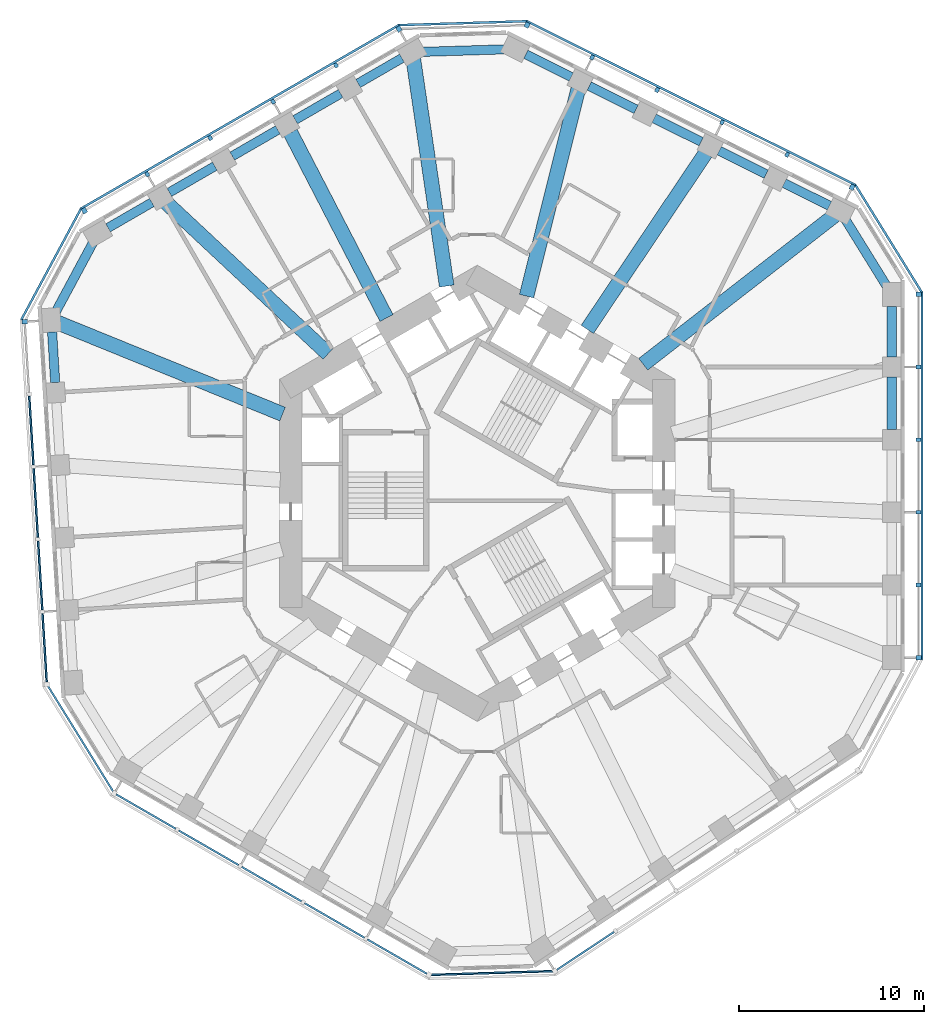
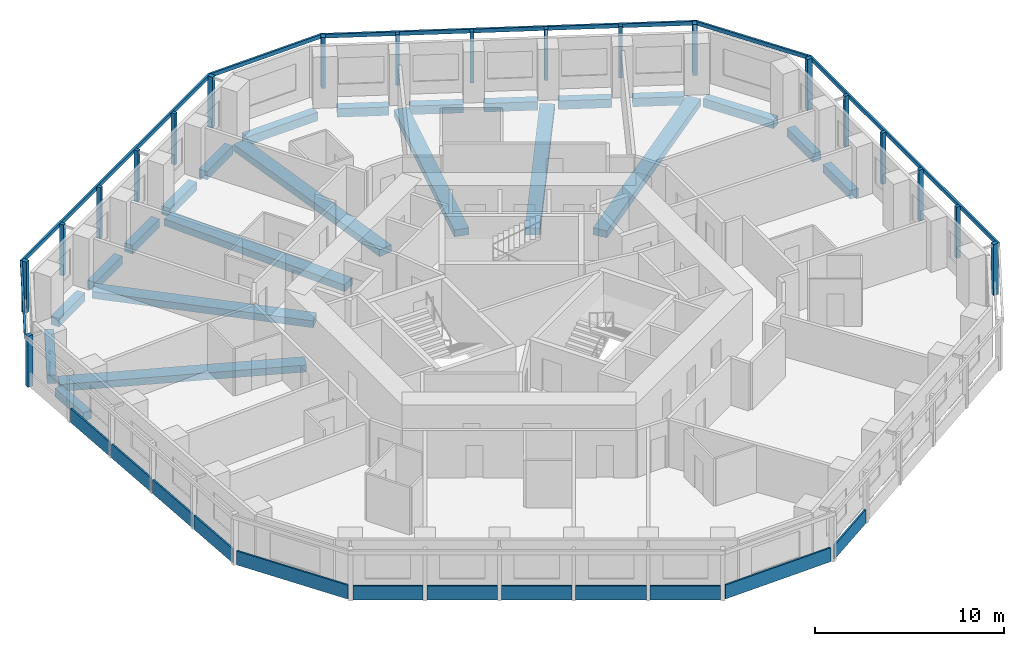
# One storey, part 2 of 11: 25 members, 23 beams, 12 plates, 11 elements without a shape of their own.
"""IFC4 building model written with IfcOpenShell, lengths in metres."""

from ifc_helpers import new_model, si_unit, direction, frame, origin, origin_2d, place, context, subcontext, project, spatial, rectangle, extrude, material, layer, layer_set, material_profile, profile_set, type_object, element, aggregate, save


model = new_model("IFC4")

# Units and contexts
model_context = context("Model", 3, precision=1e-05, world=origin(), true_north=direction((0.0, 1.0)))
body_context = subcontext(model_context, "Body", "Model", "MODEL_VIEW")
ifc_project = project(units=[si_unit("LENGTHUNIT", "METRE"), si_unit("AREAUNIT", "SQUARE_METRE"), si_unit("VOLUMEUNIT", "CUBIC_METRE"), si_unit("PLANEANGLEUNIT", "RADIAN"), si_unit("MASSUNIT", "GRAM", prefix="KILO")], contexts=[model_context])

# Site, building, storey
site_placement = place(None, origin())
site = spatial("IfcSite", under=ifc_project, at=site_placement, CompositionType="ELEMENT")
building_placement = place(site_placement, origin())
building = spatial("IfcBuilding", under=site, at=building_placement, Name="Vanh Sen Convention Tower", CompositionType="ELEMENT")
storey_placement = place(building_placement, frame((0.0, 0.0, 100.10009765625)))
storey = spatial("IfcBuildingStorey", under=building, at=storey_placement, Name="L23", CompositionType="ELEMENT", Elevation=100.10009765625)

# Curtain wall, members
ifc_material_1 = material(Name="Concrete C50/60", Category="concrete")
curtain_wall_type = type_object("IfcCurtainWallType", Name="Outer skin hotel zone", PredefinedType="NOTDEFINED", material=ifc_material_1)
curtain_wall_1_placement = place(storey_placement, origin())
curtain_wall_1 = element("IfcCurtainWall", 1, at=curtain_wall_1_placement, inside=storey, type_object=curtain_wall_type, Name="OUTER SKIN E L23", PredefinedType="NOTDEFINED")
ifc_material_profile_1 = material_profile(ifc_material_1, rectangle(XDim=0.25, YDim=0.300048828125, at=origin_2d()), Name="Outer skin precast corner fin 250 x 300")
ifc_profile_set_1 = profile_set([ifc_material_profile_1], Name="Concrete C50/60")
member_type_1 = type_object("IfcMemberType", Name="Outer skin precast corner fin 250 x 300", PredefinedType="MULLION", material=ifc_profile_set_1)
member_1_placement = place(storey_placement, frame((23.89990234375, -8.899169921875, 0.0), z_axis=(0.0, 0.0, 1.0), x_axis=(0.0, 1.0, 0.0)))
member_1 = element("IfcMember", 2, at=member_1_placement, type_object=member_type_1, Name="OUTER SKIN CORNER FIN 1 E L23", PredefinedType="MULLION", context=body_context, shape_type="SweptSolid", body=[
    extrude(rectangle(XDim=0.25, YDim=0.300048828125, at=origin_2d()), origin(), (0.0, 0.0, 1.0), 3.2998046875),
])
member_2_placement = place(storey_placement, frame((23.89990234375, 10.773681640625, 0.0), z_axis=(0.0, 0.0, 1.0), x_axis=(0.0, 1.0, 0.0)))
member_2 = element("IfcMember", 3, at=member_2_placement, type_object=member_type_1, Name="OUTER SKIN CORNER FIN 6 E L23", PredefinedType="MULLION", context=body_context, shape_type="SweptSolid", body=[
    extrude(rectangle(XDim=0.25, YDim=0.300048828125, at=origin_2d()), origin(), (0.0, 0.0, 1.0), 3.2998046875),
])

curtain_wall_2_placement = place(storey_placement, origin())
curtain_wall_2 = element("IfcCurtainWall", 4, at=curtain_wall_2_placement, inside=storey, type_object=curtain_wall_type, Name="OUTER SKIN NE L23", PredefinedType="NOTDEFINED")
member_3_placement = place(storey_placement, frame((20.305908203125, 16.581787109375, 0.0), z_axis=(0.0, 0.0, 1.0), x_axis=(-0.894934361602, 0.44619781311, 0.0)))
member_3 = element("IfcMember", 5, at=member_3_placement, type_object=member_type_1, Name="OUTER SKIN CORNER FIN 1 NE L23", PredefinedType="MULLION", context=body_context, shape_type="SweptSolid", body=[
    extrude(rectangle(XDim=0.25, YDim=0.300048828125, at=origin_2d()), origin(), (0.0, 0.0, 1.0), 3.2998046875),
])
member_4_placement = place(storey_placement, frame((2.699951171875, 25.35986328125, 0.0), z_axis=(0.0, 0.0, 1.0), x_axis=(-0.894934361602, 0.44619781311, 0.0)))
member_4 = element("IfcMember", 6, at=member_4_placement, type_object=member_type_1, Name="OUTER SKIN CORNER FIN 6 NE L23", PredefinedType="MULLION", context=body_context, shape_type="SweptSolid", body=[
    extrude(rectangle(XDim=0.25, YDim=0.300048828125, at=origin_2d()), origin(), (0.0, 0.0, 1.0), 3.2998046875),
])

curtain_wall_3_placement = place(storey_placement, origin())
curtain_wall_3 = element("IfcCurtainWall", 7, at=curtain_wall_3_placement, inside=storey, type_object=curtain_wall_type, Name="OUTER SKIN NW L23", PredefinedType="NOTDEFINED")
member_5_placement = place(storey_placement, frame((-4.242919921875, 25.147705078125, 0.0), z_axis=(0.0, 0.0, 1.0), x_axis=(-0.866025403784, -0.5, 0.0)))
member_5 = element("IfcMember", 8, at=member_5_placement, type_object=member_type_1, Name="OUTER SKIN CORNER FIN 1 NW L23", PredefinedType="MULLION", context=body_context, shape_type="SweptSolid", body=[
    extrude(rectangle(XDim=0.25, YDim=0.300048828125, at=origin_2d()), origin(), (0.0, 0.0, 1.0), 3.2998046875),
])
member_6_placement = place(storey_placement, frame((-21.2802734375, 15.31103515625, 0.0), z_axis=(0.0, 0.0, 1.0), x_axis=(-0.866025403784, -0.5, 0.0)))
member_6 = element("IfcMember", 9, at=member_6_placement, type_object=member_type_1, Name="OUTER SKIN CORNER FIN 6 NW L23", PredefinedType="MULLION", context=body_context, shape_type="SweptSolid", body=[
    extrude(rectangle(XDim=0.25, YDim=0.300048828125, at=origin_2d()), origin(), (0.0, 0.0, 1.0), 3.2998046875),
])

# Curtain wall, member
curtain_wall_4_placement = place(storey_placement, origin())
curtain_wall_4 = element("IfcCurtainWall", 10, at=curtain_wall_4_placement, inside=storey, type_object=curtain_wall_type, Name="OUTER SKIN W L23", PredefinedType="NOTDEFINED")
member_7_placement = place(storey_placement, frame((-24.51318359375, 9.294677734375, 0.0), z_axis=(0.0, 0.0, 1.0), x_axis=(0.061048539535, -0.998134798422, 0.0)))
member_7 = element("IfcMember", 11, at=member_7_placement, type_object=member_type_1, Name="OUTER SKIN CORNER FIN 1 W L23", PredefinedType="MULLION", context=body_context, shape_type="SweptSolid", body=[
    extrude(rectangle(XDim=0.25, YDim=0.300048828125, at=origin_2d()), origin(), (0.0, 0.0, 1.0), 3.2998046875),
])

# Member
ifc_material_profile_2 = material_profile(ifc_material_1, rectangle(XDim=0.199951171875, YDim=0.25, at=origin_2d()), Name="Outer skin precast fin 200 x 250")
ifc_profile_set_2 = profile_set([ifc_material_profile_2], Name="Concrete C50/60")
member_type_2 = type_object("IfcMemberType", Name="Outer skin precast fin 200 x 250", PredefinedType="MULLION", material=ifc_profile_set_2)
member_8_placement = place(storey_placement, frame((23.89990234375, -4.964599609375, 0.0), z_axis=(0.0, 0.0, 1.0), x_axis=(0.0, 1.0, 0.0)))
member_8 = element("IfcMember", 12, at=member_8_placement, type_object=member_type_2, Name="OUTER SKIN fin 2 E L23", PredefinedType="MULLION", context=body_context, shape_type="SweptSolid", body=[
    extrude(rectangle(XDim=0.199951171875, YDim=0.25, at=origin_2d()), origin(), (0.0, 0.0, 1.0), 3.2998046875),
])

member_9_placement = place(storey_placement, frame((23.89990234375, -1.030029296875, 0.0), z_axis=(0.0, 0.0, 1.0), x_axis=(0.0, 1.0, 0.0)))
member_9 = element("IfcMember", 13, at=member_9_placement, type_object=member_type_2, Name="OUTER SKIN fin 3 E L23", PredefinedType="MULLION", context=body_context, shape_type="SweptSolid", body=[
    extrude(rectangle(XDim=0.199951171875, YDim=0.25, at=origin_2d()), origin(), (0.0, 0.0, 1.0), 3.2998046875),
])

member_10_placement = place(storey_placement, frame((23.89990234375, 2.904541015625, 0.0), z_axis=(0.0, 0.0, 1.0), x_axis=(0.0, 1.0, 0.0)))
member_10 = element("IfcMember", 14, at=member_10_placement, type_object=member_type_2, Name="OUTER SKIN fin 4 E L23", PredefinedType="MULLION", context=body_context, shape_type="SweptSolid", body=[
    extrude(rectangle(XDim=0.199951171875, YDim=0.25, at=origin_2d()), origin(), (0.0, 0.0, 1.0), 3.2998046875),
])

member_11_placement = place(storey_placement, frame((23.89990234375, 6.839111328125, 0.0), z_axis=(0.0, 0.0, 1.0), x_axis=(0.0, 1.0, 0.0)))
member_11 = element("IfcMember", 15, at=member_11_placement, type_object=member_type_2, Name="OUTER SKIN fin 5 E L23", PredefinedType="MULLION", context=body_context, shape_type="SweptSolid", body=[
    extrude(rectangle(XDim=0.199951171875, YDim=0.25, at=origin_2d()), origin(), (0.0, 0.0, 1.0), 3.2998046875),
])

member_12_placement = place(storey_placement, frame((16.78466796875, 18.33740234375, 0.0), z_axis=(0.0, 0.0, 1.0), x_axis=(-0.894934361602, 0.44619781311, 0.0)))
member_12 = element("IfcMember", 16, at=member_12_placement, type_object=member_type_2, Name="OUTER SKIN fin 2 NE L23", PredefinedType="MULLION", context=body_context, shape_type="SweptSolid", body=[
    extrude(rectangle(XDim=0.199951171875, YDim=0.25, at=origin_2d()), origin(), (0.0, 0.0, 1.0), 3.2998046875),
])

member_13_placement = place(storey_placement, frame((13.263427734375, 20.093017578125, 0.0), z_axis=(0.0, 0.0, 1.0), x_axis=(-0.894934361602, 0.44619781311, 0.0)))
member_13 = element("IfcMember", 17, at=member_13_placement, type_object=member_type_2, Name="OUTER SKIN fin 3 NE L23", PredefinedType="MULLION", context=body_context, shape_type="SweptSolid", body=[
    extrude(rectangle(XDim=0.199951171875, YDim=0.25, at=origin_2d()), origin(), (0.0, 0.0, 1.0), 3.2998046875),
])

member_14_placement = place(storey_placement, frame((9.7421875, 21.8486328125, 0.0), z_axis=(0.0, 0.0, 1.0), x_axis=(-0.894934361602, 0.44619781311, 0.0)))
member_14 = element("IfcMember", 18, at=member_14_placement, type_object=member_type_2, Name="OUTER SKIN fin 4 NE L23", PredefinedType="MULLION", context=body_context, shape_type="SweptSolid", body=[
    extrude(rectangle(XDim=0.199951171875, YDim=0.25, at=origin_2d()), origin(), (0.0, 0.0, 1.0), 3.2998046875),
])

member_15_placement = place(storey_placement, frame((6.22119140625, 23.604248046875, 0.0), z_axis=(0.0, 0.0, 1.0), x_axis=(-0.894934361602, 0.44619781311, 0.0)))
member_15 = element("IfcMember", 19, at=member_15_placement, type_object=member_type_2, Name="OUTER SKIN fin 5 NE L23", PredefinedType="MULLION", context=body_context, shape_type="SweptSolid", body=[
    extrude(rectangle(XDim=0.199951171875, YDim=0.25, at=origin_2d()), origin(), (0.0, 0.0, 1.0), 3.2998046875),
])

member_16_placement = place(storey_placement, frame((-7.650390625, 23.180419921875, 0.0), z_axis=(0.0, 0.0, 1.0), x_axis=(-0.866025403784, -0.5, 0.0)))
member_16 = element("IfcMember", 20, at=member_16_placement, type_object=member_type_2, Name="OUTER SKIN fin 2 NW L23", PredefinedType="MULLION", context=body_context, shape_type="SweptSolid", body=[
    extrude(rectangle(XDim=0.199951171875, YDim=0.25, at=origin_2d()), origin(), (0.0, 0.0, 1.0), 3.2998046875),
])

member_17_placement = place(storey_placement, frame((-11.057861328125, 21.212890625, 0.0), z_axis=(0.0, 0.0, 1.0), x_axis=(-0.866025403784, -0.5, 0.0)))
member_17 = element("IfcMember", 21, at=member_17_placement, type_object=member_type_2, Name="OUTER SKIN fin 3 NW L23", PredefinedType="MULLION", context=body_context, shape_type="SweptSolid", body=[
    extrude(rectangle(XDim=0.199951171875, YDim=0.25, at=origin_2d()), origin(), (0.0, 0.0, 1.0), 3.2998046875),
])

member_18_placement = place(storey_placement, frame((-14.46533203125, 19.24560546875, 0.0), z_axis=(0.0, 0.0, 1.0), x_axis=(-0.866025403784, -0.5, 0.0)))
member_18 = element("IfcMember", 22, at=member_18_placement, type_object=member_type_2, Name="OUTER SKIN fin 4 NW L23", PredefinedType="MULLION", context=body_context, shape_type="SweptSolid", body=[
    extrude(rectangle(XDim=0.199951171875, YDim=0.25, at=origin_2d()), origin(), (0.0, 0.0, 1.0), 3.2998046875),
])

member_19_placement = place(storey_placement, frame((-17.872802734375, 17.2783203125, 0.0), z_axis=(0.0, 0.0, 1.0), x_axis=(-0.866025403784, -0.5, 0.0)))
member_19 = element("IfcMember", 23, at=member_19_placement, type_object=member_type_2, Name="OUTER SKIN fin 5 NW L23", PredefinedType="MULLION", context=body_context, shape_type="SweptSolid", body=[
    extrude(rectangle(XDim=0.199951171875, YDim=0.25, at=origin_2d()), origin(), (0.0, 0.0, 1.0), 3.2998046875),
])

ifc_material_profile_3 = material_profile(ifc_material_1, rectangle(XDim=0.1201171875, YDim=0.25, at=origin_2d()), Name="Outer skin precast spandrel band 250 x 120")
ifc_profile_set_3 = profile_set([ifc_material_profile_3], Name="Concrete C50/60")
member_type_3 = type_object("IfcMemberType", Name="Outer skin precast spandrel band 250 x 120", PredefinedType="USERDEFINED", material=ifc_profile_set_3)
member_20_placement = place(storey_placement, frame((24.0849609375, -9.024169921875, 3.1748046875), z_axis=(0.0, 1.0, 0.0), x_axis=(-1.0, 0.0, 0.0)))
member_20 = element("IfcMember", 24, at=member_20_placement, type_object=member_type_3, Name="OUTER SKIN spandrel band E L23", ObjectType="TRANSOM", PredefinedType="USERDEFINED", context=body_context, shape_type="SweptSolid", body=[
    extrude(rectangle(XDim=0.1201171875, YDim=0.25, at=origin_2d()), origin(), (0.0, 0.0, 1.0), 19.9228515625),
])

aggregate(curtain_wall_1, [member_1, member_8, member_9, member_10, member_11, member_2, member_20])

# Curtain wall, member
curtain_wall_5_placement = place(storey_placement, origin())
curtain_wall_5 = element("IfcCurtainWall", 25, at=curtain_wall_5_placement, inside=storey, type_object=curtain_wall_type, Name="OUTER SKIN CH1 L23", PredefinedType="NOTDEFINED")
member_21_placement = place(storey_placement, frame((24.07861328125, 10.88427734375, 3.1748046875), z_axis=(-0.526195864379, 0.850363400148, 0.0), x_axis=(-0.850363400148, -0.526195864379, 0.0)))
member_21 = element("IfcMember", 26, at=member_21_placement, type_object=member_type_3, Name="OUTER SKIN spandrel band CH1 L23", ObjectType="TRANSOM", PredefinedType="USERDEFINED", context=body_context, shape_type="SweptSolid", body=[
    extrude(rectangle(XDim=0.1201171875, YDim=0.25, at=origin_2d()), origin(), (0.0, 0.0, 1.0), 6.830078125),
])
aggregate(curtain_wall_5, [member_21])

# Member
member_22_placement = place(storey_placement, frame((20.500244140625, 16.69140625, 3.1748046875), z_axis=(-0.894931498167, 0.446203556227, 0.0), x_axis=(-0.446203556227, -0.894931498167, 0.0)))
member_22 = element("IfcMember", 27, at=member_22_placement, type_object=member_type_3, Name="OUTER SKIN spandrel band NE L23", ObjectType="TRANSOM", PredefinedType="USERDEFINED", context=body_context, shape_type="SweptSolid", body=[
    extrude(rectangle(XDim=0.1201171875, YDim=0.25, at=origin_2d()), origin(), (0.0, 0.0, 1.0), 19.9228515625),
])

aggregate(curtain_wall_2, [member_3, member_12, member_13, member_14, member_15, member_4, member_22])

# Curtain wall, member
curtain_wall_6_placement = place(storey_placement, origin())
curtain_wall_6 = element("IfcCurtainWall", 28, at=curtain_wall_6_placement, inside=storey, type_object=curtain_wall_type, Name="OUTER SKIN CH2 L23", PredefinedType="NOTDEFINED")
member_23_placement = place(storey_placement, frame((2.693603515625, 25.569580078125, 3.1748046875), z_axis=(-0.999533472857, -0.030542374483, 0.0), x_axis=(0.030542374483, -0.999533472857, 0.0)))
member_23 = element("IfcMember", 29, at=member_23_placement, type_object=member_type_3, Name="OUTER SKIN spandrel band CH2 L23", ObjectType="TRANSOM", PredefinedType="USERDEFINED", context=body_context, shape_type="SweptSolid", body=[
    extrude(rectangle(XDim=0.1201171875, YDim=0.25, at=origin_2d()), origin(), (0.0, 0.0, 1.0), 6.9462890625),
])
aggregate(curtain_wall_6, [member_23])

# Member
member_24_placement = place(storey_placement, frame((-4.227294921875, 25.370361328125, 3.1748046875), z_axis=(-0.866028047459, -0.499995420993, 0.0), x_axis=(0.499995420993, -0.866028047459, 0.0)))
member_24 = element("IfcMember", 30, at=member_24_placement, type_object=member_type_3, Name="OUTER SKIN spandrel band NW L23", ObjectType="TRANSOM", PredefinedType="USERDEFINED", context=body_context, shape_type="SweptSolid", body=[
    extrude(rectangle(XDim=0.1201171875, YDim=0.25, at=origin_2d()), origin(), (0.0, 0.0, 1.0), 19.923095703125),
])

aggregate(curtain_wall_3, [member_5, member_16, member_17, member_18, member_19, member_6, member_24])

# Curtain wall, member
curtain_wall_7_placement = place(storey_placement, origin())
curtain_wall_7 = element("IfcCurtainWall", 31, at=curtain_wall_7_placement, inside=storey, type_object=curtain_wall_type, Name="OUTER SKIN CH3 L23", PredefinedType="NOTDEFINED")
member_25_placement = place(storey_placement, frame((-21.46533203125, 15.410400390625, 3.1748046875), z_axis=(-0.473315186561, -0.880893145717, 0.0), x_axis=(0.880893145717, -0.473315186561, 0.0)))
member_25 = element("IfcMember", 32, at=member_25_placement, type_object=member_type_3, Name="OUTER SKIN spandrel band CH3 L23", ObjectType="TRANSOM", PredefinedType="USERDEFINED", context=body_context, shape_type="SweptSolid", body=[
    extrude(rectangle(XDim=0.1201171875, YDim=0.25, at=origin_2d()), origin(), (0.0, 0.0, 1.0), 6.829833984375),
])
aggregate(curtain_wall_7, [member_25])

# Beams
ifc_material_2 = material(Name="Concrete C50/60", Category="concrete")
ifc_material_profile_4 = material_profile(ifc_material_2, rectangle(XDim=0.800048828125, YDim=0.449951171875, at=origin_2d()), Name="RC 800X450")
ifc_profile_set_4 = profile_set([ifc_material_profile_4], Name="Concrete C50/60")
beam_type_1 = type_object("IfcBeamType", Name="Radial floor beam 800 x 450", PredefinedType="BEAM", material=ifc_profile_set_4)
beam_1_placement = place(storey_placement, frame((19.376708984375, 15.064697265625, -0.47509765625), z_axis=(-0.789479064473, -0.613777489616, 0.0), x_axis=(0.613777489616, -0.789479064473, 0.0)))
element("IfcBeam", 33, at=beam_1_placement, inside=storey, type_object=beam_type_1, Name="Radial beam 04 L23", PredefinedType="BEAM", context=body_context, shape_type="SweptSolid", body=[
    extrude(rectangle(XDim=0.800048828125, YDim=0.449951171875, at=origin_2d()), origin(), (0.0, 0.0, 1.0), 13.16015625),
])
beam_2_placement = place(storey_placement, frame((12.3671875, 18.423828125, -0.47509765625), z_axis=(-0.557338631, -0.830285282536, 0.0), x_axis=(0.830285282536, -0.557338631, 0.0)))
element("IfcBeam", 34, at=beam_2_placement, inside=storey, type_object=beam_type_1, Name="Radial beam 05 L23", PredefinedType="BEAM", context=body_context, shape_type="SweptSolid", body=[
    extrude(rectangle(XDim=0.800048828125, YDim=0.449951171875, at=origin_2d()), origin(), (0.0, 0.0, 1.0), 11.497314453125),
])
beam_3_placement = place(storey_placement, frame((5.47265625, 21.900390625, -0.47509765625), z_axis=(-0.242436270236, -0.97016733344, 0.0), x_axis=(0.97016733344, -0.242436270236, 0.0)))
element("IfcBeam", 35, at=beam_3_placement, inside=storey, type_object=beam_type_1, Name="Radial beam 06 L23", PredefinedType="BEAM", context=body_context, shape_type="SweptSolid", body=[
    extrude(rectangle(XDim=0.800048828125, YDim=0.449951171875, at=origin_2d()), origin(), (0.0, 0.0, 1.0), 11.563720703125),
])
beam_4_placement = place(storey_placement, frame((-3.46337890625, 23.521484375, -0.47509765625), z_axis=(0.145674386683, -0.989332589711, 0.0), x_axis=(0.989332589711, 0.145674386683, 0.0)))
element("IfcBeam", 36, at=beam_4_placement, inside=storey, type_object=beam_type_1, Name="Radial beam 07 L23", PredefinedType="BEAM", context=body_context, shape_type="SweptSolid", body=[
    extrude(rectangle(XDim=0.800048828125, YDim=0.449951171875, at=origin_2d()), origin(), (0.0, 0.0, 1.0), 12.4287109375),
])
beam_5_placement = place(storey_placement, frame((-10.113525390625, 19.53369140625, -0.47509765625), z_axis=(0.459777032111, -0.888034391644, 0.0), x_axis=(0.888034391644, 0.459777032111, 0.0)))
element("IfcBeam", 37, at=beam_5_placement, inside=storey, type_object=beam_type_1, Name="Radial beam 08 L23", PredefinedType="BEAM", context=body_context, shape_type="SweptSolid", body=[
    extrude(rectangle(XDim=0.800048828125, YDim=0.449951171875, at=origin_2d()), origin(), (0.0, 0.0, 1.0), 11.30859375),
])
beam_6_placement = place(storey_placement, frame((-16.858642578125, 15.75244140625, -0.47509765625), z_axis=(0.730678761729, -0.6827214272, 0.0), x_axis=(0.6827214272, 0.730678761729, 0.0)))
element("IfcBeam", 38, at=beam_6_placement, inside=storey, type_object=beam_type_1, Name="Radial beam 09 L23", PredefinedType="BEAM", context=body_context, shape_type="SweptSolid", body=[
    extrude(rectangle(XDim=0.800048828125, YDim=0.449951171875, at=origin_2d()), origin(), (0.0, 0.0, 1.0), 12.01416015625),
])
beam_7_placement = place(storey_placement, frame((-22.734619140625, 9.248291015625, -0.47509765625), z_axis=(0.926292218259, -0.376805953236, 0.0), x_axis=(0.376805953236, 0.926292218259, 0.0)))
element("IfcBeam", 39, at=beam_7_placement, inside=storey, type_object=beam_type_1, Name="Radial beam 10 L23", PredefinedType="BEAM", context=body_context, shape_type="SweptSolid", body=[
    extrude(rectangle(XDim=0.800048828125, YDim=0.449951171875, at=origin_2d()), origin(), (0.0, 0.0, 1.0), 13.159912109375),
])
ifc_material_profile_5 = material_profile(ifc_material_2, rectangle(XDim=0.5, YDim=0.550048828125, at=origin_2d()), Name="RC 500X550")
ifc_profile_set_5 = profile_set([ifc_material_profile_5], Name="Concrete C50/60")
beam_type_2 = type_object("IfcBeamType", Name="Spandrel beam 500 x 550", PredefinedType="SPANDREL", material=ifc_profile_set_5)
beam_8_placement = place(storey_placement, frame((22.449951171875, 3.449462890625, -0.525146484375), z_axis=(0.0, 1.0, 0.0), x_axis=(-1.0, 0.0, 0.0)))
element("IfcBeam", 40, at=beam_8_placement, inside=storey, type_object=beam_type_2, Name="Spandrel beam 04 L23", PredefinedType="SPANDREL", context=body_context, shape_type="SweptSolid", body=[
    extrude(rectangle(XDim=0.5, YDim=0.550048828125, at=origin_2d()), origin(), (0.0, 0.0, 1.0), 2.8447265625),
])
beam_9_placement = place(storey_placement, frame((22.449951171875, 7.384033203125, -0.525146484375), z_axis=(0.0, 1.0, 0.0), x_axis=(-1.0, 0.0, 0.0)))
element("IfcBeam", 41, at=beam_9_placement, inside=storey, type_object=beam_type_2, Name="Spandrel beam 05 L23", PredefinedType="SPANDREL", context=body_context, shape_type="SweptSolid", body=[
    extrude(rectangle(XDim=0.5, YDim=0.550048828125, at=origin_2d()), origin(), (0.0, 0.0, 1.0), 2.74462890625),
])
beam_10_placement = place(storey_placement, frame((22.165283203125, 11.23388671875, -0.525146484375), z_axis=(-0.526225208879, 0.850345241381, 0.0), x_axis=(-0.850345241381, -0.526225208879, 0.0)))
element("IfcBeam", 42, at=beam_10_placement, inside=storey, type_object=beam_type_2, Name="Spandrel beam 06 L23", PredefinedType="SPANDREL", context=body_context, shape_type="SweptSolid", body=[
    extrude(rectangle(XDim=0.5, YDim=0.550048828125, at=origin_2d()), origin(), (0.0, 0.0, 1.0), 4.221923828125),
])
beam_11_placement = place(storey_placement, frame((19.081787109375, 15.572021484375, -0.525146484375), z_axis=(-0.894978032936, 0.446110211229, 0.0), x_axis=(-0.446110211229, -0.894978032936, 0.0)))
element("IfcBeam", 43, at=beam_11_placement, inside=storey, type_object=beam_type_2, Name="Spandrel beam 07 L23", PredefinedType="SPANDREL", context=body_context, shape_type="SweptSolid", body=[
    extrude(rectangle(XDim=0.5, YDim=0.550048828125, at=origin_2d()), origin(), (0.0, 0.0, 1.0), 2.74462890625),
])
beam_12_placement = place(storey_placement, frame((15.64990234375, 17.282958984375, -0.525146484375), z_axis=(-0.894958709308, 0.44614897583, 0.0), x_axis=(-0.44614897583, -0.894958709308, 0.0)))
element("IfcBeam", 44, at=beam_12_placement, inside=storey, type_object=beam_type_2, Name="Spandrel beam 08 L23", PredefinedType="SPANDREL", context=body_context, shape_type="SweptSolid", body=[
    extrude(rectangle(XDim=0.5, YDim=0.550048828125, at=origin_2d()), origin(), (0.0, 0.0, 1.0), 2.844482421875),
])
for number, where, z_axis, x_axis, name in (
    (45, (12.12890625, 19.03857421875, -0.525146484375), (-0.894975791885, 0.446114707155, 0.0), (-0.446114707155, -0.894975791885, 0.0), "Spandrel beam 09 L23"),
    (46, (8.607666015625, 20.794189453125, -0.525146484375), (-0.894975791885, 0.446114707155, 0.0), (-0.446114707155, -0.894975791885, 0.0), "Spandrel beam 10 L23"),
):
    element("IfcBeam", number, at=place(storey_placement, frame(where, z_axis=z_axis, x_axis=x_axis)), inside=storey, type_object=beam_type_2, Name=name, PredefinedType="SPANDREL", context=body_context, shape_type="SweptSolid", body=[
        extrude(rectangle(XDim=0.5, YDim=0.550048828125, at=origin_2d()), origin(), (0.0, 0.0, 1.0), 2.8447265625),
    ])
beam_13_placement = place(storey_placement, frame((5.08642578125, 22.5498046875, -0.525146484375), z_axis=(-0.894942515368, 0.44618145881, 0.0), x_axis=(-0.44618145881, -0.894942515368, 0.0)))
element("IfcBeam", 47, at=beam_13_placement, inside=storey, type_object=beam_type_2, Name="Spandrel beam 11 L23", PredefinedType="SPANDREL", context=body_context, shape_type="SweptSolid", body=[
    extrude(rectangle(XDim=0.5, YDim=0.550048828125, at=origin_2d()), origin(), (0.0, 0.0, 1.0), 2.74462890625),
])
beam_14_placement = place(storey_placement, frame((1.467041015625, 24.044189453125, -0.525146484375), z_axis=(-0.999534488219, -0.030509127505, 0.0), x_axis=(0.030509127505, -0.999534488219, 0.0)))
element("IfcBeam", 48, at=beam_14_placement, inside=storey, type_object=beam_type_2, Name="Spandrel beam 12 L23", PredefinedType="SPANDREL", context=body_context, shape_type="SweptSolid", body=[
    extrude(rectangle(XDim=0.5, YDim=0.550048828125, at=origin_2d()), origin(), (0.0, 0.0, 1.0), 4.401123046875),
])
beam_15_placement = place(storey_placement, frame((-4.07666015625, 23.5693359375, -0.525146484375), z_axis=(-0.866028570666, -0.499994514761, 0.0), x_axis=(0.499994514761, -0.866028570666, 0.0)))
element("IfcBeam", 49, at=beam_15_placement, inside=storey, type_object=beam_type_2, Name="Spandrel beam 13 L23", PredefinedType="SPANDREL", context=body_context, shape_type="SweptSolid", body=[
    extrude(rectangle(XDim=0.5, YDim=0.550048828125, at=origin_2d()), origin(), (0.0, 0.0, 1.0), 2.74462890625),
])
for number, where, z_axis, x_axis, name in (
    (50, (-7.3974609375, 21.652099609375, -0.525146484375), (-0.866005490874, -0.500034488586, 0.0), (0.500034488586, -0.866005490874, 0.0), "Spandrel beam 14 L23"),
    (51, (-10.804931640625, 19.684814453125, -0.525146484375), (-0.866005490874, -0.500034488586, 0.0), (0.500034488586, -0.866005490874, 0.0), "Spandrel beam 15 L23"),
    (52, (-14.21240234375, 17.717529296875, -0.525146484375), (-0.866005490874, -0.500034488586, 0.0), (0.500034488586, -0.866005490874, 0.0), "Spandrel beam 16 L23"),
):
    element("IfcBeam", number, at=place(storey_placement, frame(where, z_axis=z_axis, x_axis=x_axis)), inside=storey, type_object=beam_type_2, Name=name, PredefinedType="SPANDREL", context=body_context, shape_type="SweptSolid", body=[
        extrude(rectangle(XDim=0.5, YDim=0.550048828125, at=origin_2d()), origin(), (0.0, 0.0, 1.0), 2.844482421875),
    ])
beam_16_placement = place(storey_placement, frame((-17.619873046875, 15.750244140625, -0.525146484375), z_axis=(-0.866006330792, -0.500033033937, 0.0), x_axis=(0.500033033937, -0.866006330792, 0.0)))
element("IfcBeam", 53, at=beam_16_placement, inside=storey, type_object=beam_type_2, Name="Spandrel beam 17 L23", PredefinedType="SPANDREL", context=body_context, shape_type="SweptSolid", body=[
    extrude(rectangle(XDim=0.5, YDim=0.550048828125, at=origin_2d()), origin(), (0.0, 0.0, 1.0), 2.744384765625),
])
beam_17_placement = place(storey_placement, frame((-20.811279296875, 13.57861328125, -0.525146484375), z_axis=(-0.473344400705, -0.880877447958, 0.0), x_axis=(0.880877447958, -0.473344400705, 0.0)))
element("IfcBeam", 54, at=beam_17_placement, inside=storey, type_object=beam_type_2, Name="Spandrel beam 18 L23", PredefinedType="SPANDREL", context=body_context, shape_type="SweptSolid", body=[
    extrude(rectangle(XDim=0.5, YDim=0.550048828125, at=origin_2d()), origin(), (0.0, 0.0, 1.0), 4.2216796875),
])
beam_18_placement = place(storey_placement, frame((-23.0263671875, 8.7392578125, -0.525146484375), z_axis=(0.061021442686, -0.998136455367, 0.0), x_axis=(0.998136455367, 0.061021442686, 0.0)))
element("IfcBeam", 55, at=beam_18_placement, inside=storey, type_object=beam_type_2, Name="Spandrel beam 19 L23", PredefinedType="SPANDREL", context=body_context, shape_type="SweptSolid", body=[
    extrude(rectangle(XDim=0.5, YDim=0.550048828125, at=origin_2d()), origin(), (0.0, 0.0, 1.0), 2.74462890625),
])

# Plate
ifc_layer = layer(ifc_material_1, 0.10009765625)
ifc_layer_set = layer_set([ifc_layer], Name="Concrete C50/60")
plate_type = type_object("IfcPlateType", Name="Outer skin precast screen panel 100", PredefinedType="CURTAIN_PANEL", material=ifc_layer_set)
plate_1_placement = place(storey_placement, frame((-24.15283203125, 3.40380859375, 0.0), z_axis=(0.0, 0.0, 1.0), x_axis=(0.061048539535, -0.998134798422, 0.0)))
plate_1 = element("IfcPlate", 56, at=plate_1_placement, type_object=plate_type, Name="OUTER SKIN screen panel W-2", PredefinedType="CURTAIN_PANEL", context=body_context, shape_type="SweptSolid", body=[
    extrude(rectangle(XDim=3.734619140625, YDim=0.10009765625, at=origin_2d()), origin(), (0.0, 0.0, 1.0), 0.89990234375),
])

plate_2_placement = place(storey_placement, frame((-23.91259765625, -0.523681640625, 0.0), z_axis=(0.0, 0.0, 1.0), x_axis=(0.061046797461, -0.99813490497, 0.0)))
plate_2 = element("IfcPlate", 57, at=plate_2_placement, type_object=plate_type, Name="OUTER SKIN screen panel W-3", PredefinedType="CURTAIN_PANEL", context=body_context, shape_type="SweptSolid", body=[
    extrude(rectangle(XDim=3.734619140625, YDim=0.10009765625, at=origin_2d()), origin(), (0.0, 0.0, 1.0), 0.89990234375),
])

plate_3_placement = place(storey_placement, frame((-23.67236328125, -4.45068359375, 0.0), z_axis=(0.0, 0.0, 1.0), x_axis=(0.061048539535, -0.998134798422, 0.0)))
plate_3 = element("IfcPlate", 58, at=plate_3_placement, type_object=plate_type, Name="OUTER SKIN screen panel W-4", PredefinedType="CURTAIN_PANEL", context=body_context, shape_type="SweptSolid", body=[
    extrude(rectangle(XDim=3.734619140625, YDim=0.10009765625, at=origin_2d()), origin(), (0.0, 0.0, 1.0), 0.89990234375),
])

plate_4_placement = place(storey_placement, frame((-23.43310546875, -8.365478515625, 0.0), z_axis=(0.0, 0.0, 1.0), x_axis=(0.061046797461, -0.99813490497, 0.0)))
plate_4 = element("IfcPlate", 59, at=plate_4_placement, type_object=plate_type, Name="OUTER SKIN screen panel W-5", PredefinedType="CURTAIN_PANEL", context=body_context, shape_type="SweptSolid", body=[
    extrude(rectangle(XDim=3.709716796875, YDim=0.10009765625, at=origin_2d()), origin(), (0.0, 0.0, 1.0), 0.89990234375),
])

aggregate(curtain_wall_4, [member_7, plate_1, plate_2, plate_3, plate_4])

# Curtain wall, plate
curtain_wall_8_placement = place(storey_placement, origin())
curtain_wall_8 = element("IfcCurtainWall", 60, at=curtain_wall_8_placement, inside=storey, type_object=curtain_wall_type, Name="OUTER SKIN CH4 L23", PredefinedType="NOTDEFINED")
plate_5_placement = place(storey_placement, frame((-21.484619140625, -13.295166015625, 0.0), z_axis=(0.0, 0.0, 1.0), x_axis=(0.526205018755, -0.850357735448, 0.0)))
plate_5 = element("IfcPlate", 61, at=plate_5_placement, type_object=plate_type, Name="OUTER SKIN screen panel CH4-1", PredefinedType="CURTAIN_PANEL", context=body_context, shape_type="SweptSolid", body=[
    extrude(rectangle(XDim=6.6962890625, YDim=0.10009765625, at=origin_2d()), origin(), (0.0, 0.0, 1.0), 0.89990234375),
])
aggregate(curtain_wall_8, [plate_5])

# Curtain wall, plates
curtain_wall_9_placement = place(storey_placement, origin())
curtain_wall_9 = element("IfcCurtainWall", 62, at=curtain_wall_9_placement, inside=storey, type_object=curtain_wall_type, Name="OUTER SKIN SW L23", PredefinedType="NOTDEFINED")
plate_6_placement = place(storey_placement, frame((-17.9423828125, -17.23828125, 0.0), z_axis=(0.0, 0.0, 1.0), x_axis=(0.866028021766, -0.499995465495, 0.0)))
plate_6 = element("IfcPlate", 63, at=plate_6_placement, type_object=plate_type, Name="OUTER SKIN screen panel SW-1", PredefinedType="CURTAIN_PANEL", context=body_context, shape_type="SweptSolid", body=[
    extrude(rectangle(XDim=3.709716796875, YDim=0.10009765625, at=origin_2d()), origin(), (0.0, 0.0, 1.0), 0.89990234375),
])
plate_7_placement = place(storey_placement, frame((-14.5458984375, -19.19921875, 0.0), z_axis=(0.0, 0.0, 1.0), x_axis=(0.866032385017, -0.499987907955, 0.0)))
plate_7 = element("IfcPlate", 64, at=plate_7_placement, type_object=plate_type, Name="OUTER SKIN screen panel SW-2", PredefinedType="CURTAIN_PANEL", context=body_context, shape_type="SweptSolid", body=[
    extrude(rectangle(XDim=3.734619140625, YDim=0.10009765625, at=origin_2d()), origin(), (0.0, 0.0, 1.0), 0.89990234375),
])
plate_8_placement = place(storey_placement, frame((-11.138427734375, -21.16650390625, 0.0), z_axis=(0.0, 0.0, 1.0), x_axis=(0.866028021766, -0.499995465495, 0.0)))
plate_8 = element("IfcPlate", 65, at=plate_8_placement, type_object=plate_type, Name="OUTER SKIN screen panel SW-3", PredefinedType="CURTAIN_PANEL", context=body_context, shape_type="SweptSolid", body=[
    extrude(rectangle(XDim=3.734619140625, YDim=0.10009765625, at=origin_2d()), origin(), (0.0, 0.0, 1.0), 0.89990234375),
])
plate_9_placement = place(storey_placement, frame((-7.73095703125, -23.1337890625, 0.0), z_axis=(0.0, 0.0, 1.0), x_axis=(0.866028021766, -0.499995465495, 0.0)))
plate_9 = element("IfcPlate", 66, at=plate_9_placement, type_object=plate_type, Name="OUTER SKIN screen panel SW-4", PredefinedType="CURTAIN_PANEL", context=body_context, shape_type="SweptSolid", body=[
    extrude(rectangle(XDim=3.734619140625, YDim=0.10009765625, at=origin_2d()), origin(), (0.0, 0.0, 1.0), 0.89990234375),
])
plate_10_placement = place(storey_placement, frame((-4.334228515625, -25.094970703125, 0.0), z_axis=(0.0, 0.0, 1.0), x_axis=(0.866021040428, -0.500007557478, 0.0)))
plate_10 = element("IfcPlate", 67, at=plate_10_placement, type_object=plate_type, Name="OUTER SKIN screen panel SW-5", PredefinedType="CURTAIN_PANEL", context=body_context, shape_type="SweptSolid", body=[
    extrude(rectangle(XDim=3.70947265625, YDim=0.10009765625, at=origin_2d()), origin(), (0.0, 0.0, 1.0), 0.89990234375),
])
aggregate(curtain_wall_9, [plate_6, plate_7, plate_8, plate_9, plate_10])

# Curtain wall, plate
curtain_wall_10_placement = place(storey_placement, origin())
curtain_wall_10 = element("IfcCurtainWall", 68, at=curtain_wall_10_placement, inside=storey, type_object=curtain_wall_type, Name="OUTER SKIN CH5 L23", PredefinedType="NOTDEFINED")
plate_11_placement = place(storey_placement, frame((0.793701171875, -25.98046875, 0.0), z_axis=(0.0, 0.0, 1.0), x_axis=(0.999533484231, 0.03054200224, 0.0)))
plate_11 = element("IfcPlate", 69, at=plate_11_placement, type_object=plate_type, Name="OUTER SKIN screen panel CH5-1", PredefinedType="CURTAIN_PANEL", context=body_context, shape_type="SweptSolid", body=[
    extrude(rectangle(XDim=6.580078125, YDim=0.10009765625, at=origin_2d()), origin(), (0.0, 0.0, 1.0), 0.89990234375),
])
aggregate(curtain_wall_10, [plate_11])

curtain_wall_11_placement = place(storey_placement, origin())
curtain_wall_11 = element("IfcCurtainWall", 70, at=curtain_wall_11_placement, inside=storey, type_object=curtain_wall_type, Name="OUTER SKIN SE L23", PredefinedType="NOTDEFINED")
plate_12_placement = place(storey_placement, frame((5.858154296875, -24.783447265625, 0.0), z_axis=(0.0, 0.0, 1.0), x_axis=(0.833891601892, 0.55192825285, 0.0)))
plate_12 = element("IfcPlate", 71, at=plate_12_placement, type_object=plate_type, Name="OUTER SKIN screen panel SE-1", PredefinedType="CURTAIN_PANEL", context=body_context, shape_type="SweptSolid", body=[
    extrude(rectangle(XDim=3.709716796875, YDim=0.10009765625, at=origin_2d()), origin(), (0.0, 0.0, 1.0), 0.89990234375),
])
aggregate(curtain_wall_11, [plate_12])

save(model, "model.ifc")
